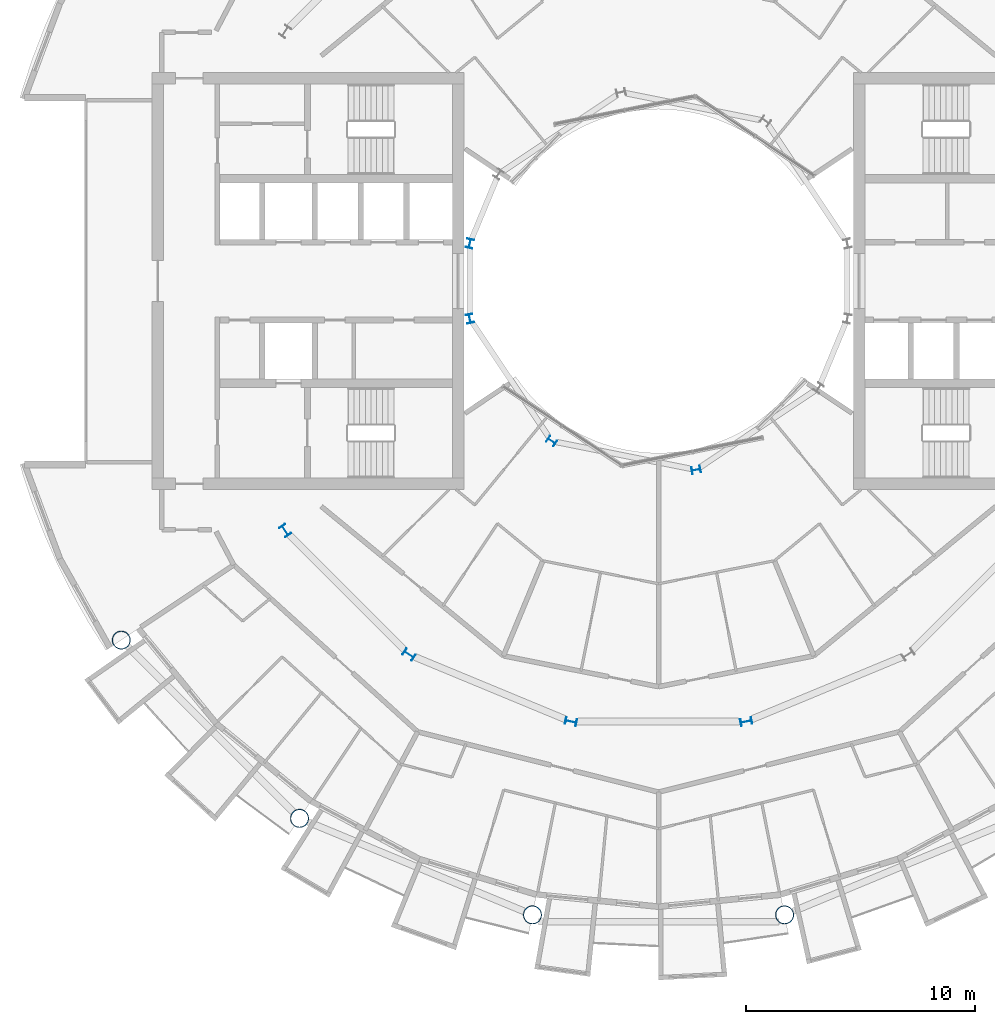
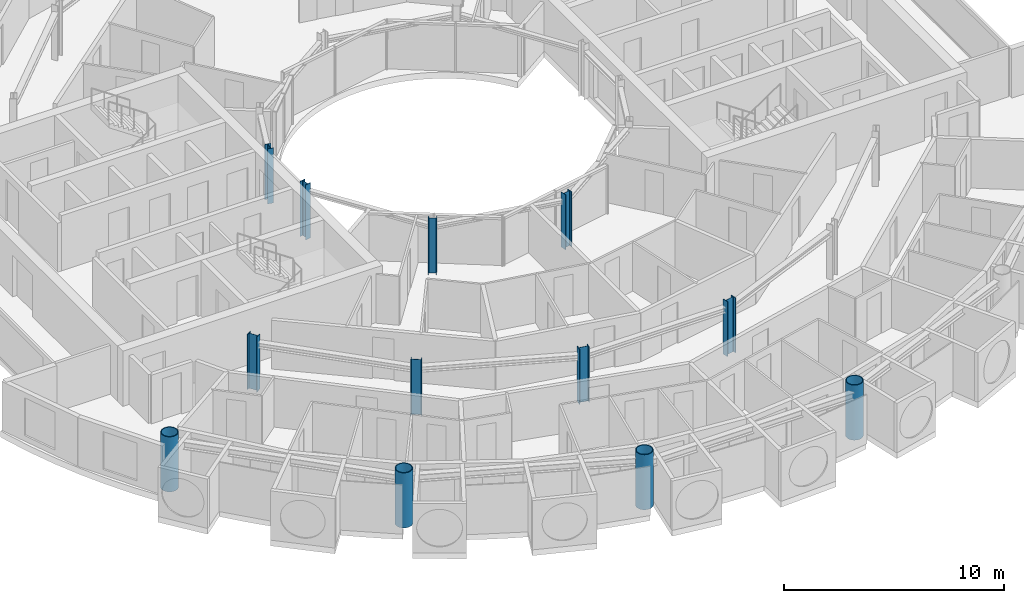
# One storey, part 1 of 27: 12 columns.
"""IFC4 building model written with IfcOpenShell, lengths in metres."""

from ifc_helpers import new_model, si_unit, direction, frame, origin, origin_2d, place, context, subcontext, project, spatial, hollow_circle, i_section, extrude, material, material_profile, profile_set, type_object, element, save


model = new_model("IFC4")

# Units and contexts
model_context = context("Model", 3, precision=1e-05, world=origin(), true_north=direction((0.0, 1.0)))
body_context = subcontext(model_context, "Body", "Model", "MODEL_VIEW")
ifc_project = project(units=[si_unit("LENGTHUNIT", "METRE"), si_unit("AREAUNIT", "SQUARE_METRE"), si_unit("VOLUMEUNIT", "CUBIC_METRE"), si_unit("PLANEANGLEUNIT", "RADIAN"), si_unit("MASSUNIT", "GRAM", prefix="KILO")], contexts=[model_context])

# Site, building, storey
site_placement = place(None, origin())
site = spatial("IfcSite", under=ifc_project, at=site_placement, CompositionType="ELEMENT")
building_placement = place(site_placement, origin())
building = spatial("IfcBuilding", under=site, at=building_placement, Name="Maasbend Ring Residences", CompositionType="ELEMENT")
storey_placement = place(building_placement, frame((0.0, 0.0, 164.64990234375)))
storey = spatial("IfcBuildingStorey", under=building, at=storey_placement, Name="L47", CompositionType="ELEMENT", Elevation=164.64990234375)

# Columns
ifc_material_1 = material(Name="Composite concrete-filled steel tube S460NH / C80/95", Category="concrete")
ifc_material_profile_1 = material_profile(ifc_material_1, hollow_circle(Radius=0.406494140625, WallThickness=0.0400390625, at=origin_2d()), Name="Composite tube column CHS 813x40")
ifc_profile_set_1 = profile_set([ifc_material_profile_1], Name="Composite concrete-filled steel tube S460NH / C80/95")
column_type_1 = type_object("IfcColumnType", Name="Composite tube column CHS 813x40", PredefinedType="COLUMN", material=ifc_profile_set_1)
for number, where, z_axis, x_axis, name in (
    (1, (-23.447509765625, -15.6669921875, 0.0), (0.0, 0.0, 1.0), (1.0, 0.0, 0.0), "Outer column R10"),
    (2, (-15.6669921875, -23.447509765625, 0.0), (0.0, 0.0, 1.0), (1.0, 0.0, 0.0), "Outer column R11"),
    (3, (-5.50146484375, -27.658203125, 0.0), (0.0, 0.0, 1.0), (1.0, 0.0, 0.0), "Outer column R12"),
    (4, (5.50146484375, -27.658203125, 0.0), (0.0, 0.0, 1.0), (1.0, 0.0, 0.0), "Outer column R13"),
):
    element("IfcColumn", number, at=place(storey_placement, frame(where, z_axis=z_axis, x_axis=x_axis)), inside=storey, type_object=column_type_1, Name=name, PredefinedType="COLUMN", context=body_context, shape_type="SweptSolid", body=[
        extrude(hollow_circle(Radius=0.406494140625, WallThickness=0.0400390625, at=origin_2d()), origin(), (0.0, 0.0, 1.0), 3.050048828125),
    ])
ifc_material_2 = material(Name="Steel S355J2", Category="steel")
ifc_material_profile_2 = material_profile(ifc_material_2, i_section(OverallWidth=0.300048828125, OverallDepth=0.389892578125, WebThickness=0.010986328125, FlangeThickness=0.01904296875, FilletRadius=0.027099609375, at=origin_2d()), Name="HEA 400")
ifc_profile_set_2 = profile_set([ifc_material_profile_2], Name="Steel S355J2")
column_type_2 = type_object("IfcColumnType", Name="Steel column HEA 400", PredefinedType="COLUMN", material=ifc_profile_set_2)
for number, where, z_axis, x_axis, name in (
    (5, (-8.238525390625, 1.638916015625, 0.0), (0.0, 0.0, 1.0), (-0.980785280403, 0.195090322016, 0.0), "Well ring column R8"),
    (6, (-8.238525390625, -1.638916015625, 0.0), (0.0, 0.0, 1.0), (-0.980785280403, -0.195090322016, 0.0), "Well ring column R9"),
    (7, (-4.666748046875, -6.984375, 0.0), (0.0, 0.0, 1.0), (-0.55557023302, -0.831469612303, 0.0), "Well ring column R11"),
    (8, (1.638916015625, -8.238525390625, 0.0), (0.0, 0.0, 1.0), (0.195090322016, -0.980785280403, 0.0), "Well ring column R13"),
):
    element("IfcColumn", number, at=place(storey_placement, frame(where, z_axis=z_axis, x_axis=x_axis)), inside=storey, type_object=column_type_2, Name=name, PredefinedType="COLUMN", context=body_context, shape_type="SweptSolid", body=[
        extrude(i_section(OverallWidth=0.300048828125, OverallDepth=0.389892578125, WebThickness=0.010986328125, FlangeThickness=0.01904296875, FilletRadius=0.027099609375, at=origin_2d()), origin(), (0.0, 0.0, 1.0), 3.050048828125),
    ])
ifc_material_3 = material(Name="Steel S355J2", Category="steel")
ifc_material_profile_3 = material_profile(ifc_material_3, i_section(OverallWidth=0.300048828125, OverallDepth=0.5, WebThickness=0.014404296875, FlangeThickness=0.028076171875, FilletRadius=0.027099609375, at=origin_2d()), Name="HEB 500")
ifc_profile_set_3 = profile_set([ifc_material_profile_3], Name="Steel S355J2")
column_type_3 = type_object("IfcColumnType", Name="Steel column HEB 500", PredefinedType="COLUMN", material=ifc_profile_set_3)
for number, where, z_axis, x_axis, name in (
    (9, (-16.296875, -10.88916015625, 0.0), (0.0, 0.0, 1.0), (-0.831469612303, -0.55557023302, 0.0), "Corridor ring column R10"),
    (10, (-10.88916015625, -16.296875, 0.0), (0.0, 0.0, 1.0), (-0.55557023302, -0.831469612303, 0.0), "Corridor ring column R11"),
    (11, (-3.82373046875, -19.223388671875, 0.0), (0.0, 0.0, 1.0), (-0.195090322016, -0.980785280403, 0.0), "Corridor ring column R12"),
    (12, (3.82373046875, -19.223388671875, 0.0), (0.0, 0.0, 1.0), (0.195090322016, -0.980785280403, 0.0), "Corridor ring column R13"),
):
    element("IfcColumn", number, at=place(storey_placement, frame(where, z_axis=z_axis, x_axis=x_axis)), inside=storey, type_object=column_type_3, Name=name, PredefinedType="COLUMN", context=body_context, shape_type="SweptSolid", body=[
        extrude(i_section(OverallWidth=0.300048828125, OverallDepth=0.5, WebThickness=0.014404296875, FlangeThickness=0.028076171875, FilletRadius=0.027099609375, at=origin_2d()), origin(), (0.0, 0.0, 1.0), 3.050048828125),
    ])

save(model, "model.ifc")
